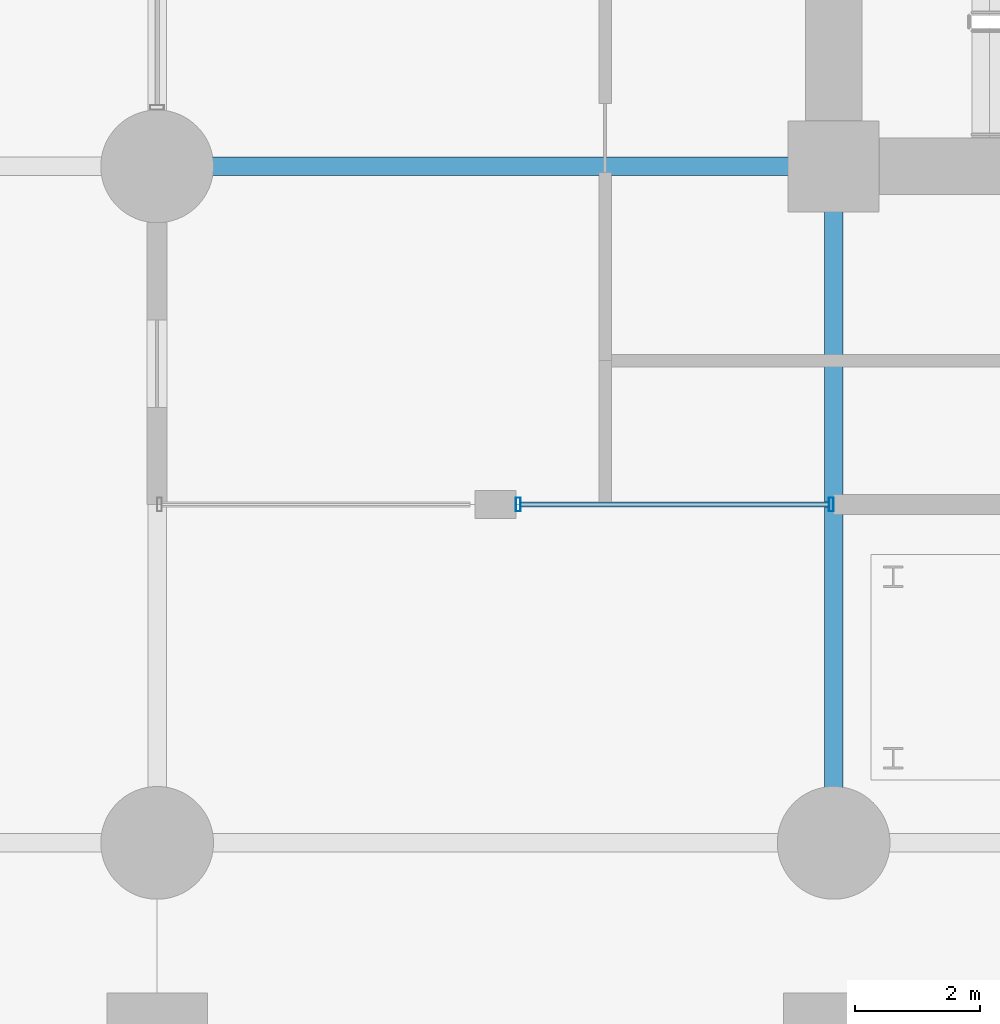
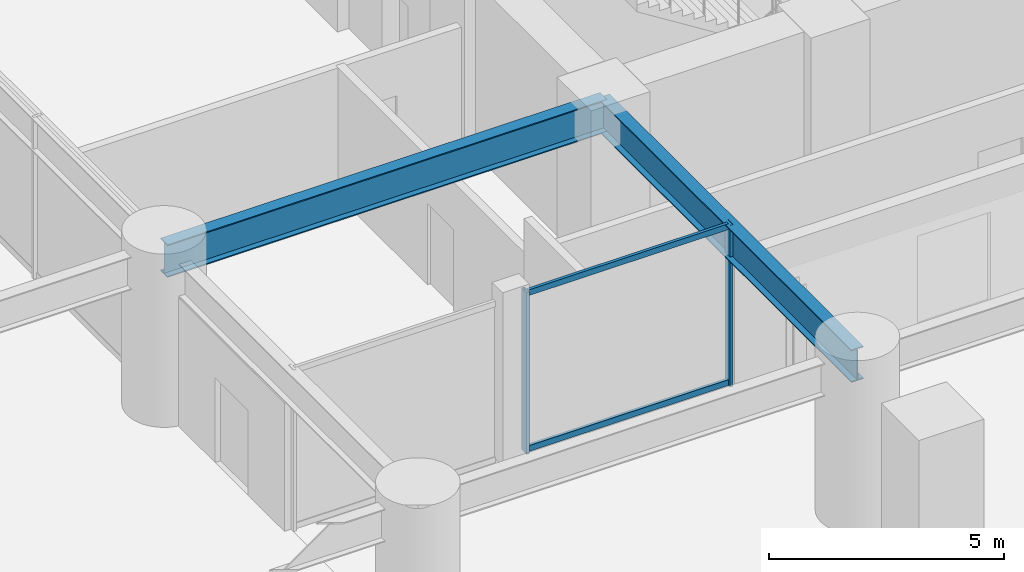
# One storey, part 7 of 29: 4 members, 2 beams, 1 element without a shape of its own.
"""IFC4 building model written with IfcOpenShell, lengths in metres."""

from ifc_helpers import new_model, si_unit, direction, frame, origin, origin_2d, place, context, subcontext, project, spatial, hollow_rectangle, i_section, extrude, material, layer, layer_set, material_profile, profile_set, type_object, element, aggregate, save


model = new_model("IFC4")

# Units and contexts
model_context = context("Model", 3, precision=1e-05, world=origin(), true_north=direction((0.0, 1.0)))
body_context = subcontext(model_context, "Body", "Model", "MODEL_VIEW")
ifc_project = project(units=[si_unit("LENGTHUNIT", "METRE"), si_unit("AREAUNIT", "SQUARE_METRE"), si_unit("VOLUMEUNIT", "CUBIC_METRE"), si_unit("PLANEANGLEUNIT", "RADIAN"), si_unit("MASSUNIT", "GRAM", prefix="KILO")], contexts=[model_context])

# Site, building, storey
site_placement = place(None, origin())
site = spatial("IfcSite", under=ifc_project, at=site_placement, CompositionType="ELEMENT")
building_placement = place(site_placement, origin())
building = spatial("IfcBuilding", under=site, at=building_placement, Name="Surkhivell Harbour Commons", CompositionType="ELEMENT")
storey_placement = place(building_placement, origin())
storey = spatial("IfcBuildingStorey", under=building, at=storey_placement, Name="L00", CompositionType="ELEMENT", Elevation=0.0)

# Beams
ifc_material_1 = material(Name="Steel S460", Category="steel")
ifc_material_profile_1 = material_profile(ifc_material_1, i_section(OverallWidth=0.2939453125, OverallDepth=0.85107421875, WebThickness=0.01611328125, FlangeThickness=0.02685546875, at=origin_2d()), Name="UB838x292x226")
ifc_profile_set_1 = profile_set([ifc_material_profile_1], Name="Steel S460")
beam_type = type_object("IfcBeamType", Name="BM-SPN-838", PredefinedType="SPANDREL", material=ifc_profile_set_1)
for number, where, z_axis, x_axis, name in (
    (1, (-21.60009765625, -10.800048828125, 3.7744140625), (1.0, 0.0, 0.0), (0.0, 1.0, 0.0), "L00 Framing Beam (-21.6,-10.8)"),
    (2, (-10.800048828125, -21.60009765625, 3.7744140625), (0.0, 1.0, 0.0), (-1.0, 0.0, 0.0), "L00 Framing Beam (-10.8,-21.6)"),
):
    element("IfcBeam", number, at=place(storey_placement, frame(where, z_axis=z_axis, x_axis=x_axis)), inside=storey, type_object=beam_type, Name=name, PredefinedType="SPANDREL", context=body_context, shape_type="SweptSolid", body=[
        extrude(i_section(OverallWidth=0.2939453125, OverallDepth=0.85107421875, WebThickness=0.01611328125, FlangeThickness=0.02685546875, at=origin_2d()), origin(), (0.0, 0.0, 1.0), 10.800048828125),
    ])

# Curtain wall, members
ifc_material_2 = material(Name="Anodised pale-metal aluminium and insulated glazing", Category="aluminium")
ifc_layer = layer(ifc_material_2, 0.239990234375)
ifc_layer_set = layer_set([ifc_layer], Name="Anodised pale-metal aluminium and insulated glazing")
curtain_wall_type = type_object("IfcCurtainWallType", Name="CW-SYS-POD", PredefinedType="NOTDEFINED", material=ifc_layer_set)
curtain_wall_placement = place(storey_placement, origin())
curtain_wall = element("IfcCurtainWall", 3, at=curtain_wall_placement, inside=storey, type_object=curtain_wall_type, Name="L00 Curtain Wall CW-L00-P01", PredefinedType="NOTDEFINED")
ifc_material_3 = material(Name="Anodised pale-metal aluminium alloy 6063-T6", Category="aluminium")
ifc_material_profile_2 = material_profile(ifc_material_3, hollow_rectangle(XDim=0.074951171875, YDim=0.219970703125, WallThickness=0.00390625, at=origin_2d()), Name="ALU-MULL-75x220")
ifc_profile_set_2 = profile_set([ifc_material_profile_2], Name="Anodised pale-metal aluminium alloy 6063-T6")
member_type_1 = type_object("IfcMemberType", Name="CWM-220", PredefinedType="MULLION", material=ifc_profile_set_2)
member_1_placement = place(storey_placement, frame((-15.83544921875, -16.199951171875, 0.0), z_axis=(0.0, 0.0, 1.0), x_axis=(1.0, 0.0, 0.0)))
member_1 = element("IfcMember", 4, at=member_1_placement, type_object=member_type_1, Name="CW-POD mullion 2", PredefinedType="MULLION", context=body_context, shape_type="SweptSolid", body=[
    extrude(hollow_rectangle(XDim=0.074951171875, YDim=0.219970703125, WallThickness=0.00390625, at=origin_2d()), origin(), (0.0, 0.0, 1.0), 4.199951171875),
])
member_2_placement = place(storey_placement, frame((-10.83740234375, -16.199951171875, 0.0), z_axis=(0.0, 0.0, 1.0), x_axis=(1.0, 0.0, 0.0)))
member_2 = element("IfcMember", 5, at=member_2_placement, type_object=member_type_1, Name="CW-POD mullion 3", PredefinedType="MULLION", context=body_context, shape_type="SweptSolid", body=[
    extrude(hollow_rectangle(XDim=0.074951171875, YDim=0.219970703125, WallThickness=0.00390625, at=origin_2d()), origin(), (0.0, 0.0, 1.0), 4.199951171875),
])
ifc_material_profile_3 = material_profile(ifc_material_3, hollow_rectangle(XDim=0.074951171875, YDim=0.14990234375, WallThickness=0.00341796875, at=origin_2d()), Name="ALU-TRAN-75x150")
ifc_profile_set_3 = profile_set([ifc_material_profile_3], Name="Anodised pale-metal aluminium alloy 6063-T6")
member_type_2 = type_object("IfcMemberType", Name="CWT-150", PredefinedType="USERDEFINED", material=ifc_profile_set_3)
member_3_placement = place(storey_placement, frame((-15.798095703125, -16.199951171875, 0.074951171875), z_axis=(1.0, 0.0, 0.0), x_axis=(0.0, 1.0, 0.0)))
member_3 = element("IfcMember", 6, at=member_3_placement, type_object=member_type_2, Name="CW-POD transom 2.1", ObjectType="TRANSOM", PredefinedType="USERDEFINED", context=body_context, shape_type="SweptSolid", body=[
    extrude(hollow_rectangle(XDim=0.074951171875, YDim=0.14990234375, WallThickness=0.00341796875, at=origin_2d()), origin(), (0.0, 0.0, 1.0), 4.923095703125),
])
member_4_placement = place(storey_placement, frame((-15.798095703125, -16.199951171875, 4.125), z_axis=(1.0, 0.0, 0.0), x_axis=(0.0, 1.0, 0.0)))
member_4 = element("IfcMember", 7, at=member_4_placement, type_object=member_type_2, Name="CW-POD transom 2.2", ObjectType="TRANSOM", PredefinedType="USERDEFINED", context=body_context, shape_type="SweptSolid", body=[
    extrude(hollow_rectangle(XDim=0.074951171875, YDim=0.14990234375, WallThickness=0.00341796875, at=origin_2d()), origin(), (0.0, 0.0, 1.0), 4.923095703125),
])
aggregate(curtain_wall, [member_1, member_2, member_3, member_4])

save(model, "model.ifc")
